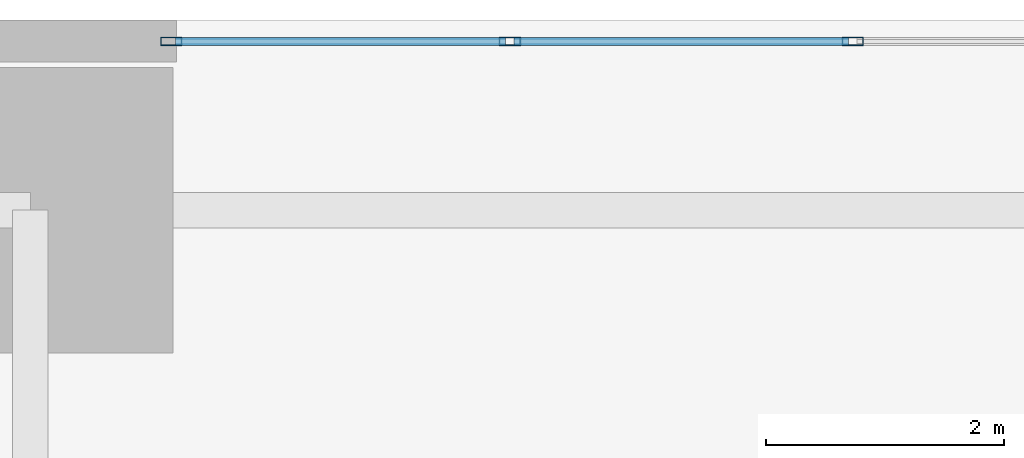
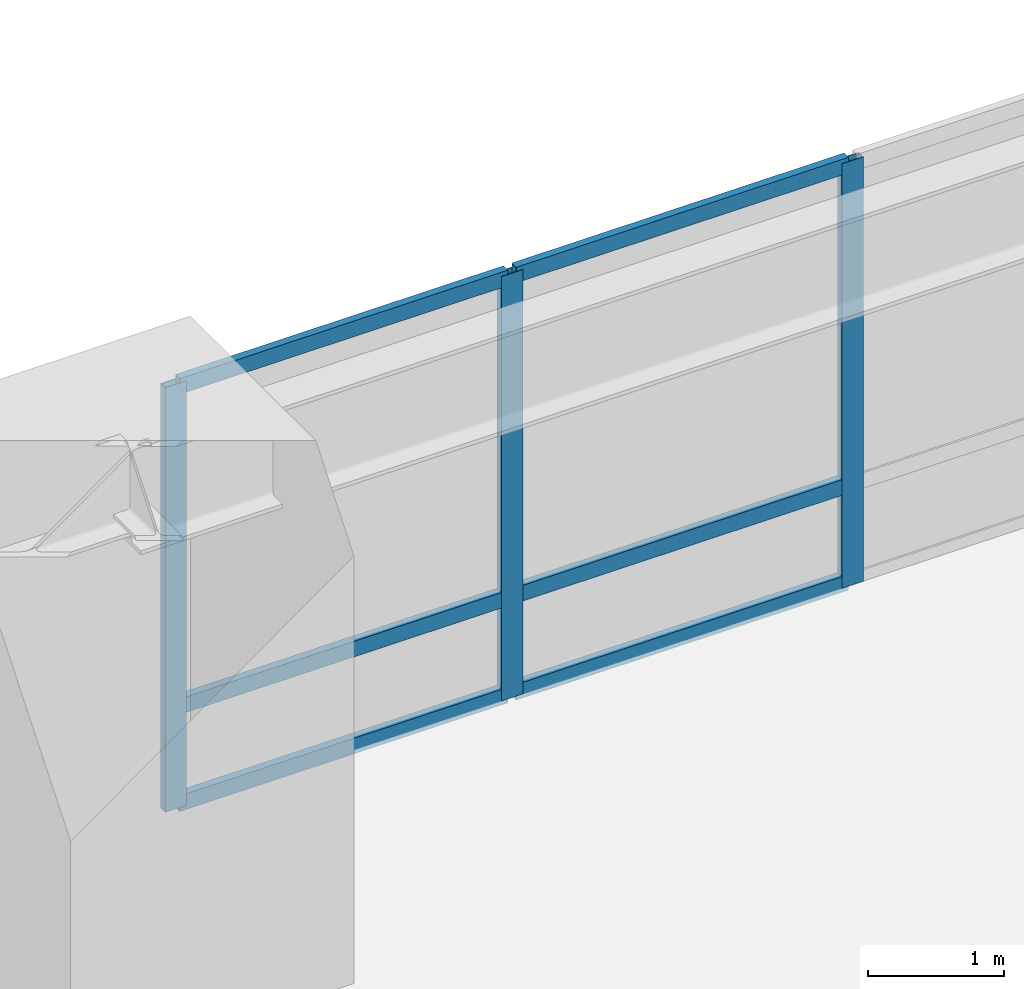
# One storey, part 10 of 17: 9 members, 1 element without a shape of its own.
"""IFC4 building model written with IfcOpenShell, lengths in metres."""

import ifcopenshell
import ifcopenshell.guid

model = None  # the IFC model being written
_history = None  # IfcOwnerHistory: only IFC2X3 demands one
_inside = {}  # id of a spatial element -> (the spatial element, [elements in it])
_under = {}  # id of a project, library or spatial element -> (it, [spatial elements below it])
_declared = {}  # id of a project -> (the project, [libraries it declares])
_typed = {}  # id of a type object -> (the type object, [elements of that type])
_made_of = {}  # id of a material, layer set ... -> (it, [elements and type objects made of it])


def new_model(schema):
    """Start an empty IFC model of exactly this schema.

    Asked for "IFC4X3", IfcOpenShell would pick the latest addendum, in which some entities
    have other attributes; the version numbers below select the first issue.
    IFC2X3 requires an IfcOwnerHistory on every rooted entity: one is made here for all.
    """
    global model, _history
    if schema == "IFC4X3":
        model = ifcopenshell.file(schema_version=(4, 3, 0, 0))
    else:
        model = ifcopenshell.file(schema=schema)
    _inside.clear()
    _under.clear()
    _declared.clear()
    _typed.clear()
    _made_of.clear()
    _history = None
    if model.schema == "IFC2X3":
        org = make("IfcOrganization", Name="unknown")
        user = make(
            "IfcPersonAndOrganization",
            ThePerson=make("IfcPerson", FamilyName="unknown"),
            TheOrganization=org,
        )
        app = make(
            "IfcApplication",
            ApplicationDeveloper=org,
            Version="unknown",
            ApplicationFullName="unknown",
            ApplicationIdentifier="unknown",
        )
        _history = make(
            "IfcOwnerHistory",
            OwningUser=user,
            OwningApplication=app,
            ChangeAction="ADDED",
            CreationDate=0,
        )
    return model


def make(cls, **values):
    """One entity of the class cls with the attributes given. An attribute that is None is left unset."""
    return model.create_entity(
        cls, **{name: value for name, value in values.items() if value is not None}
    )


def rooted(cls, **values):
    """An entity with a GlobalId (a new one), such as an element, a storey or a relation."""
    return make(cls, GlobalId=ifcopenshell.guid.new(), OwnerHistory=_history, **values)


def si_unit(unit_type, name, prefix=None):
    """IfcSIUnit, for example si_unit("LENGTHUNIT", "METRE", prefix="MILLI")."""
    return make("IfcSIUnit", UnitType=unit_type, Prefix=prefix, Name=name)


def assignment(units):
    """IfcUnitAssignment: the units of a project."""
    return None if units is None else make("IfcUnitAssignment", Units=units)


def point(xyz):
    """IfcCartesianPoint."""
    return None if xyz is None else make("IfcCartesianPoint", Coordinates=xyz)


def direction(xyz):
    """IfcDirection."""
    return None if xyz is None else make("IfcDirection", DirectionRatios=xyz)


def frame(location, z_axis=None, x_axis=None):
    """IfcAxis2Placement3D, a coordinate frame: its origin and axes. An axis left out is left unset."""
    return make(
        "IfcAxis2Placement3D",
        Location=point(location),
        Axis=direction(z_axis),
        RefDirection=direction(x_axis),
    )


def frame_2d(location, x_axis=None):
    """IfcAxis2Placement2D, a coordinate frame in the plane: its origin and x axis."""
    return make(
        "IfcAxis2Placement2D", Location=point(location), RefDirection=direction(x_axis)
    )


def origin():
    """The frame at (0, 0, 0) with its axes left unset."""
    return frame((0.0, 0.0, 0.0))


def origin_2d():
    """The frame at (0, 0) in the plane with its x axis left unset."""
    return frame_2d((0.0, 0.0))


def place(relative_to, where):
    """IfcLocalPlacement: puts the frame where relative to a parent placement (None: the world)."""
    return make(
        "IfcLocalPlacement", PlacementRelTo=relative_to, RelativePlacement=where
    )


def context(
    kind, dimensions, precision=None, world=None, true_north=None, identifier=None
):
    """IfcGeometricRepresentationContext, for example the 3D "Model" context."""
    return make(
        "IfcGeometricRepresentationContext",
        ContextIdentifier=identifier,
        ContextType=kind,
        CoordinateSpaceDimension=dimensions,
        Precision=precision,
        WorldCoordinateSystem=world,
        TrueNorth=true_north,
    )


def subcontext(parent, identifier, kind, view, scale=None):
    """IfcGeometricRepresentationSubContext, for example "Body" below "Model"."""
    return make(
        "IfcGeometricRepresentationSubContext",
        ContextIdentifier=identifier,
        ContextType=kind,
        ParentContext=parent,
        TargetScale=scale,
        TargetView=view,
    )


def project(units=None, contexts=None):
    """IfcProject with its units and contexts."""
    return rooted(
        "IfcProject",
        Name="project",
        RepresentationContexts=contexts,
        UnitsInContext=assignment(units),
    )


def spatial(cls, under=None, at=None, **own):
    """A site, building, storey or space (cls), placed at a placement, below another one or the project."""
    s = rooted(cls, ObjectPlacement=at, **own)
    if under is not None:
        _under.setdefault(under.id(), (under, []))[1].append(s)
    return s


def profile(cls, at=None, kind="AREA", **sizes):
    """A parametric profile (cls). Its sizes go by their IFC names, for example OverallWidth=200.0."""
    return make(cls, ProfileType=kind, Position=at, **sizes)


def hollow_rectangle(**sizes):
    """IfcRectangleHollowProfileDef."""
    return profile("IfcRectangleHollowProfileDef", **sizes)


def extrude(swept, where, along, depth):
    """IfcExtrudedAreaSolid: the profile swept, set in the frame where, extruded along a direction by depth."""
    return make(
        "IfcExtrudedAreaSolid",
        SweptArea=swept,
        Position=where,
        ExtrudedDirection=direction(along),
        Depth=depth,
    )


def shape(context_of_items, identifier, shape_type, items):
    """IfcShapeRepresentation: the items that make up one representation, for example the "Body"."""
    return make(
        "IfcShapeRepresentation",
        ContextOfItems=context_of_items,
        RepresentationIdentifier=identifier,
        RepresentationType=shape_type,
        Items=items,
    )


def material(Name=None, Category=None):
    """IfcMaterial."""
    return make("IfcMaterial", Name=Name, Category=Category)


def layer(
    of_material, thickness, ventilated=None, Name=None, Category=None, Priority=None
):
    """IfcMaterialLayer: one layer of a wall or slab, of a material (None: an air gap)."""
    return make(
        "IfcMaterialLayer",
        Material=of_material,
        LayerThickness=thickness,
        IsVentilated=ventilated,
        Name=Name,
        Category=Category,
        Priority=Priority,
    )


def layer_set(layers, Name=None):
    """IfcMaterialLayerSet."""
    return make("IfcMaterialLayerSet", MaterialLayers=layers, LayerSetName=Name)


def material_profile(
    of_material, cross_section, Name=None, Category=None, Priority=None
):
    """IfcMaterialProfile: a cross section and its material."""
    return make(
        "IfcMaterialProfile",
        Name=Name,
        Material=of_material,
        Profile=cross_section,
        Priority=Priority,
        Category=Category,
    )


def profile_set(profiles, Name=None, composite=None):
    """IfcMaterialProfileSet."""
    return make(
        "IfcMaterialProfileSet",
        Name=Name,
        MaterialProfiles=profiles,
        CompositeProfile=composite,
    )


def made_of(thing, what):
    """Note that an element or type object is made of a material, layer set ...; save() writes the relation."""
    if what is not None:
        _made_of.setdefault(what.id(), (what, []))[1].append(thing)
    return thing


def type_object(cls, material=None, **own):
    """A type object (cls), such as IfcWallType, which elements share."""
    return made_of(rooted(cls, **own), material)


def element(
    cls,
    number,
    at=None,
    inside=None,
    cuts=None,
    type_object=None,
    material=None,
    context=None,
    identifier="Body",
    shape_type=None,
    held_by="IfcProductDefinitionShape",
    body=None,
    shapes=None,
    **own,
):
    """One element of the class cls, such as IfcWall. Its Tag is "e" and its number.

    at: its placement. inside: the storey or other place that contains it. cuts: it is an
    opening in that element (IfcRelVoidsElement). A single representation is given by context,
    identifier, shape_type and body (its items); several are given by shapes. held_by: the class
    of the entity that holds the representations. save() writes the other relations.
    """
    e = rooted(cls, Tag="e%d" % number, ObjectPlacement=at, **own)
    if body is not None:
        shapes = [shape(context, identifier, shape_type, body)]
    if shapes is not None:
        e.Representation = make(held_by, Representations=shapes)
    if inside is not None:
        _inside.setdefault(inside.id(), (inside, []))[1].append(e)
    if cuts is not None:
        rooted(
            "IfcRelVoidsElement", RelatingBuildingElement=cuts, RelatedOpeningElement=e
        )
    if type_object is not None:
        _typed.setdefault(type_object.id(), (type_object, []))[1].append(e)
    return made_of(e, material)


def aggregate(whole, parts):
    """IfcRelAggregates: a whole, such as a stair, and the parts it consists of."""
    return rooted("IfcRelAggregates", RelatingObject=whole, RelatedObjects=parts)


def save(model, path):
    """Write the relations noted so far, then the file.

    IfcRelAggregates (storeys below a building ...), IfcRelContainedInSpatialStructure (elements
    in a storey), IfcRelDefinesByType, IfcRelAssociatesMaterial and IfcRelDeclares: one each for
    every whole, place, type object, material and project.
    """
    for whole, parts in _under.values():
        aggregate(whole, parts)
    for where, things in _inside.values():
        rooted(
            "IfcRelContainedInSpatialStructure",
            RelatedElements=things,
            RelatingStructure=where,
        )
    for kind, things in _typed.values():
        rooted("IfcRelDefinesByType", RelatedObjects=things, RelatingType=kind)
    for what, things in _made_of.values():
        rooted("IfcRelAssociatesMaterial", RelatedObjects=things, RelatingMaterial=what)
    for by, libraries in _declared.values():
        rooted("IfcRelDeclares", RelatingContext=by, RelatedDefinitions=libraries)
    model.write(path)


model = new_model("IFC4")

# Units and contexts
model_context = context("Model", 3, precision=1e-05, world=origin(), true_north=direction((0.0, 1.0)))
body_context = subcontext(model_context, "Body", "Model", "MODEL_VIEW")
ifc_project = project(units=[si_unit("LENGTHUNIT", "METRE"), si_unit("AREAUNIT", "SQUARE_METRE"), si_unit("VOLUMEUNIT", "CUBIC_METRE"), si_unit("PLANEANGLEUNIT", "RADIAN"), si_unit("MASSUNIT", "GRAM", prefix="KILO"), si_unit("THERMODYNAMICTEMPERATUREUNIT", "KELVIN"), si_unit("POWERUNIT", "WATT")], contexts=[model_context])

# Site, building, storey
site_placement = place(None, origin())
site = spatial("IfcSite", under=ifc_project, at=site_placement, CompositionType="ELEMENT")
building_placement = place(site_placement, origin())
building = spatial("IfcBuilding", under=site, at=building_placement, Name="Ocrelia Relay Tower", CompositionType="ELEMENT")
storey_placement = place(building_placement, frame((0.0, 0.0, 25.199951171875)))
storey = spatial("IfcBuildingStorey", under=building, at=storey_placement, Name="L05", CompositionType="ELEMENT", Elevation=25.199951171875)

# Curtain wall, members
ifc_material_1 = material(Name="Aluminium and solar-control low-E glass", Category="aluminium")
ifc_layer = layer(ifc_material_1, 0.179931640625, Name="Aluminium and solar-control low-E glass")
ifc_layer_set = layer_set([ifc_layer], Name="Aluminium and solar-control low-E glass")
curtain_wall_type = type_object("IfcCurtainWallType", Name="CW-SYS-POD-GALL", PredefinedType="NOTDEFINED", material=ifc_layer_set)
curtain_wall_placement = place(storey_placement, origin())
curtain_wall = element("IfcCurtainWall", 1, at=curtain_wall_placement, inside=storey, type_object=curtain_wall_type, Name="L05 North Over-Arch Curtain Wall West", PredefinedType="NOTDEFINED")
ifc_material_2 = material(Name="Anodised bronze aluminium", Category="aluminium")
ifc_material_profile_1 = material_profile(ifc_material_2, hollow_rectangle(XDim=0.070068359375, YDim=0.179931640625, WallThickness=0.006103515625, at=origin_2d()), Name="CW-MUL-180x70")
ifc_profile_set_1 = profile_set([ifc_material_profile_1], Name="Anodised bronze aluminium")
member_type_1 = type_object("IfcMemberType", Name="CW-SYS-POD-GALL-MUL", PredefinedType="MULLION", material=ifc_profile_set_1)
member_1_placement = place(storey_placement, frame((25.385009765625, 51.820068359375, 0.0), z_axis=(0.0, 0.0, 1.0), x_axis=(0.0, 1.0, 0.0)))
member_1 = element("IfcMember", 2, at=member_1_placement, type_object=member_type_1, Name="CW-PG mullion 1", PredefinedType="MULLION", context=body_context, shape_type="SweptSolid", body=[
    extrude(hollow_rectangle(XDim=0.070068359375, YDim=0.179931640625, WallThickness=0.006103515625, at=origin_2d()), origin(), (0.0, 0.0, 1.0), 3.800048828125),
])
member_2_placement = place(storey_placement, frame((28.2333984375, 51.820068359375, 0.0), z_axis=(0.0, 0.0, 1.0), x_axis=(0.0, 1.0, 0.0)))
member_2 = element("IfcMember", 3, at=member_2_placement, type_object=member_type_1, Name="CW-PG mullion 2", PredefinedType="MULLION", context=body_context, shape_type="SweptSolid", body=[
    extrude(hollow_rectangle(XDim=0.070068359375, YDim=0.179931640625, WallThickness=0.006103515625, at=origin_2d()), origin(), (0.0, 0.0, 1.0), 3.800048828125),
])
member_3_placement = place(storey_placement, frame((31.11669921875, 51.820068359375, 0.0), z_axis=(0.0, 0.0, 1.0), x_axis=(0.0, 1.0, 0.0)))
member_3 = element("IfcMember", 4, at=member_3_placement, type_object=member_type_1, Name="CW-PG mullion 3", PredefinedType="MULLION", context=body_context, shape_type="SweptSolid", body=[
    extrude(hollow_rectangle(XDim=0.070068359375, YDim=0.179931640625, WallThickness=0.006103515625, at=origin_2d()), origin(), (0.0, 0.0, 1.0), 3.800048828125),
])
ifc_material_profile_2 = material_profile(ifc_material_2, hollow_rectangle(XDim=0.06494140625, YDim=0.139892578125, WallThickness=0.0048828125, at=origin_2d()), Name="CW-TRN-140x65")
ifc_profile_set_2 = profile_set([ifc_material_profile_2], Name="Anodised bronze aluminium")
member_type_2 = type_object("IfcMemberType", Name="CW-SYS-POD-GALL-TRN", PredefinedType="USERDEFINED", material=ifc_profile_set_2)
member_4_placement = place(storey_placement, frame((25.419921875, 51.820068359375, 0.032470703125), z_axis=(1.0, 0.0, 0.0), x_axis=(0.0, 1.0, 0.0)))
member_4 = element("IfcMember", 5, at=member_4_placement, type_object=member_type_2, Name="CW-PG transom 1.1", ObjectType="TRANSOM", PredefinedType="USERDEFINED", context=body_context, shape_type="SweptSolid", body=[
    extrude(hollow_rectangle(XDim=0.06494140625, YDim=0.139892578125, WallThickness=0.0048828125, at=origin_2d()), origin(), (0.0, 0.0, 1.0), 2.7783203125),
])
member_5_placement = place(storey_placement, frame((25.419921875, 51.820068359375, 0.900146484375), z_axis=(1.0, 0.0, 0.0), x_axis=(0.0, 1.0, 0.0)))
member_5 = element("IfcMember", 6, at=member_5_placement, type_object=member_type_2, Name="CW-PG transom 1.2", ObjectType="TRANSOM", PredefinedType="USERDEFINED", context=body_context, shape_type="SweptSolid", body=[
    extrude(hollow_rectangle(XDim=0.06494140625, YDim=0.139892578125, WallThickness=0.0048828125, at=origin_2d()), origin(), (0.0, 0.0, 1.0), 2.7783203125),
])
member_6_placement = place(storey_placement, frame((25.419921875, 51.820068359375, 3.767578125), z_axis=(1.0, 0.0, 0.0), x_axis=(0.0, 1.0, 0.0)))
member_6 = element("IfcMember", 7, at=member_6_placement, type_object=member_type_2, Name="CW-PG transom 1.3", ObjectType="TRANSOM", PredefinedType="USERDEFINED", context=body_context, shape_type="SweptSolid", body=[
    extrude(hollow_rectangle(XDim=0.06494140625, YDim=0.139892578125, WallThickness=0.0048828125, at=origin_2d()), origin(), (0.0, 0.0, 1.0), 2.7783203125),
])
member_7_placement = place(storey_placement, frame((28.268310546875, 51.820068359375, 0.032470703125), z_axis=(1.0, 0.0, 0.0), x_axis=(0.0, 1.0, 0.0)))
member_7 = element("IfcMember", 8, at=member_7_placement, type_object=member_type_2, Name="CW-PG transom 2.1", ObjectType="TRANSOM", PredefinedType="USERDEFINED", context=body_context, shape_type="SweptSolid", body=[
    extrude(hollow_rectangle(XDim=0.06494140625, YDim=0.139892578125, WallThickness=0.0048828125, at=origin_2d()), origin(), (0.0, 0.0, 1.0), 2.8134765625),
])
member_8_placement = place(storey_placement, frame((28.268310546875, 51.820068359375, 0.900146484375), z_axis=(1.0, 0.0, 0.0), x_axis=(0.0, 1.0, 0.0)))
member_8 = element("IfcMember", 9, at=member_8_placement, type_object=member_type_2, Name="CW-PG transom 2.2", ObjectType="TRANSOM", PredefinedType="USERDEFINED", context=body_context, shape_type="SweptSolid", body=[
    extrude(hollow_rectangle(XDim=0.06494140625, YDim=0.139892578125, WallThickness=0.0048828125, at=origin_2d()), origin(), (0.0, 0.0, 1.0), 2.8134765625),
])
member_9_placement = place(storey_placement, frame((28.268310546875, 51.820068359375, 3.767578125), z_axis=(1.0, 0.0, 0.0), x_axis=(0.0, 1.0, 0.0)))
member_9 = element("IfcMember", 10, at=member_9_placement, type_object=member_type_2, Name="CW-PG transom 2.3", ObjectType="TRANSOM", PredefinedType="USERDEFINED", context=body_context, shape_type="SweptSolid", body=[
    extrude(hollow_rectangle(XDim=0.06494140625, YDim=0.139892578125, WallThickness=0.0048828125, at=origin_2d()), origin(), (0.0, 0.0, 1.0), 2.8134765625),
])
aggregate(curtain_wall, [member_1, member_2, member_3, member_4, member_5, member_6, member_7, member_8, member_9])

save(model, "model.ifc")
